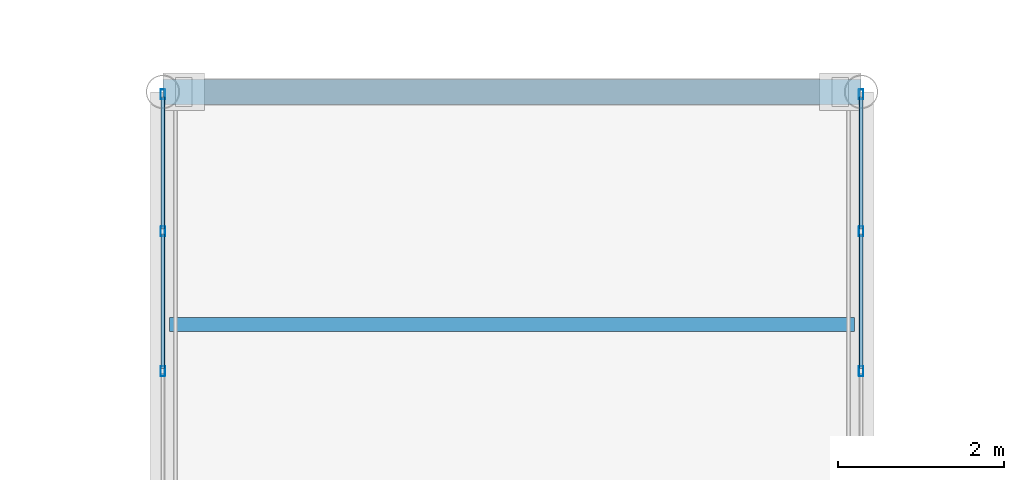
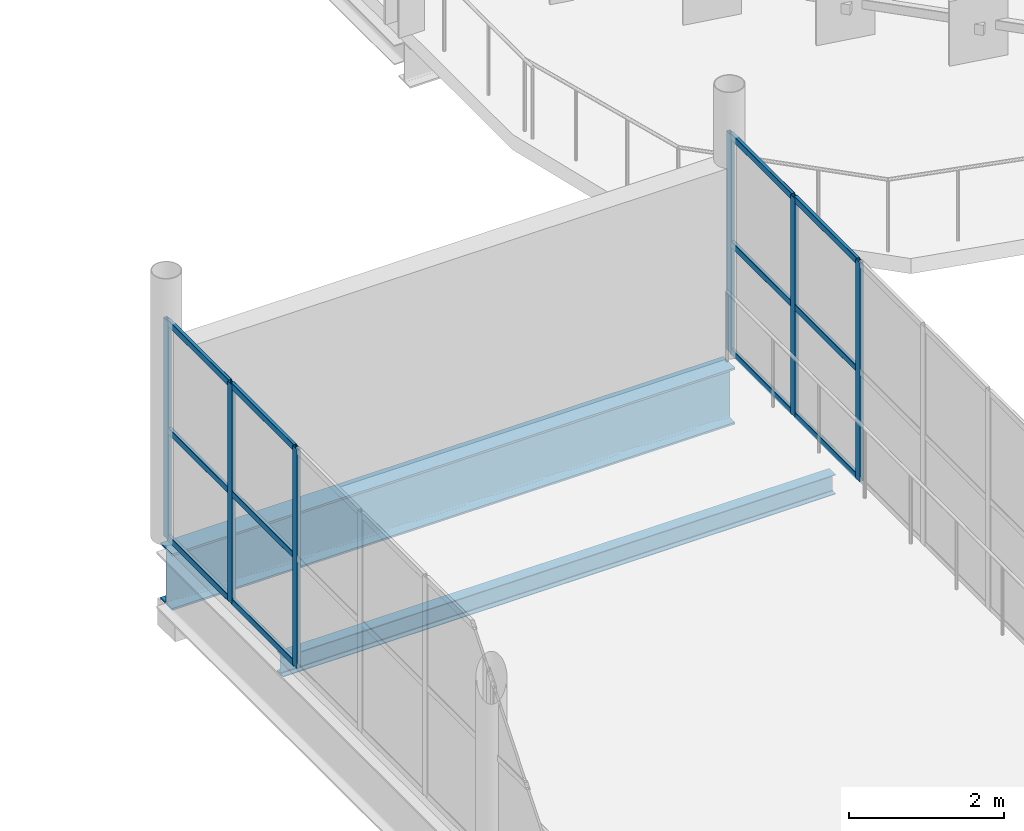
# One storey, part 87 of 163: 18 members, 2 beams, 2 elements without a shape of their own.
"""IFC4 building model written with IfcOpenShell, lengths in metres."""

from ifc_helpers import new_model, si_unit, direction, frame, origin, origin_2d, place, context, subcontext, project, spatial, hollow_rectangle, i_section, extrude, material, layer, layer_set, material_profile, profile_set, type_object, element, aggregate, save


model = new_model("IFC4")

# Units and contexts
model_context = context("Model", 3, precision=1e-05, world=origin(), true_north=direction((0.0, 1.0)))
body_context = subcontext(model_context, "Body", "Model", "MODEL_VIEW")
ifc_project = project(units=[si_unit("LENGTHUNIT", "METRE"), si_unit("AREAUNIT", "SQUARE_METRE"), si_unit("VOLUMEUNIT", "CUBIC_METRE"), si_unit("PLANEANGLEUNIT", "RADIAN"), si_unit("MASSUNIT", "GRAM", prefix="KILO")], contexts=[model_context])

# Site, building, storey
site_placement = place(None, origin())
site = spatial("IfcSite", under=ifc_project, at=site_placement, CompositionType="ELEMENT")
building_placement = place(site_placement, origin())
building = spatial("IfcBuilding", under=site, at=building_placement, Name="Qalvenar Corner Mobility Hub", CompositionType="ELEMENT")
storey_placement = place(building_placement, frame((0.0, 0.0, 4.800048828125)))
storey = spatial("IfcBuildingStorey", under=building, at=storey_placement, Name="L01", CompositionType="ELEMENT", Elevation=4.800048828125)

# Beams
ifc_material_1 = material(Name="Steel S355", Category="steel")
ifc_material_profile_1 = material_profile(ifc_material_1, i_section(OverallWidth=0.300048828125, OverallDepth=0.889892578125, WebThickness=0.01611328125, FlangeThickness=0.030029296875, FilletRadius=0.027099609375, at=origin_2d()), Name="HEA900")
ifc_profile_set_1 = profile_set([ifc_material_profile_1], Name="Steel S355")
beam_type_1 = type_object("IfcBeamType", Name="BM-BRG900", PredefinedType="BEAM", material=ifc_profile_set_1)
beam_1_placement = place(storey_placement, frame((50.39990234375, 67.199951171875, -0.635009765625), z_axis=(1.0, 0.0, 0.0), x_axis=(0.0, 1.0, 0.0)))
element("IfcBeam", 1, at=beam_1_placement, inside=storey, type_object=beam_type_1, Name="Court Link Bridge Girder BRG-1525", PredefinedType="BEAM", context=body_context, shape_type="SweptSolid", body=[
    extrude(i_section(OverallWidth=0.300048828125, OverallDepth=0.889892578125, WebThickness=0.01611328125, FlangeThickness=0.030029296875, FilletRadius=0.027099609375, at=origin_2d()), origin(), (0.0, 0.0, 1.0), 8.400146484375),
])
ifc_material_profile_2 = material_profile(ifc_material_1, i_section(OverallWidth=0.1650390625, OverallDepth=0.31005859375, WebThickness=0.005859375, FlangeThickness=0.009765625, FilletRadius=0.011962890625, at=origin_2d()), Name="W310x38.7")
ifc_profile_set_2 = profile_set([ifc_material_profile_2], Name="Steel S355")
beam_type_2 = type_object("IfcBeamType", Name="BM-JST310", PredefinedType="JOIST", material=ifc_profile_set_2)
beam_2_placement = place(storey_placement, frame((50.47802734375, 64.39990234375, -0.344970703125), z_axis=(1.0, 0.0, 0.0), x_axis=(0.0, 1.0, 0.0)))
element("IfcBeam", 2, at=beam_2_placement, inside=storey, type_object=beam_type_2, Name="Composite Floor Joist J-1540", PredefinedType="JOIST", context=body_context, shape_type="SweptSolid", body=[
    extrude(i_section(OverallWidth=0.1650390625, OverallDepth=0.31005859375, WebThickness=0.005859375, FlangeThickness=0.009765625, FilletRadius=0.011962890625, at=origin_2d()), origin(), (0.0, 0.0, 1.0), 8.243896484375),
])

# Curtain wall, members
ifc_material_2 = material(Name="Anodised Aluminium and Low-E Glazing", Category="aluminium")
ifc_layer = layer(ifc_material_2, 0.1201171875)
ifc_layer_set = layer_set([ifc_layer], Name="Anodised Aluminium and Low-E Glazing")
curtain_wall_type = type_object("IfcCurtainWallType", Name="CW-BRG-84X28", PredefinedType="NOTDEFINED", material=ifc_layer_set)
curtain_wall_1_placement = place(storey_placement, origin())
curtain_wall_1 = element("IfcCurtainWall", 3, at=curtain_wall_1_placement, inside=storey, type_object=curtain_wall_type, Name="Glazed Curtain Wall CW-BRG-L01-W3", PredefinedType="NOTDEFINED")
ifc_material_3 = material(Name="Anodised Aluminium 6063-T6", Category="aluminium")
ifc_material_profile_3 = material_profile(ifc_material_3, hollow_rectangle(XDim=0.054931640625, YDim=0.1201171875, WallThickness=0.00341796875, InnerFilletRadius=0.00341796875, OuterFilletRadius=0.007080078125, at=origin_2d()), Name="RHS120x55x3.5")
ifc_profile_set_3 = profile_set([ifc_material_profile_3], Name="Anodised Aluminium 6063-T6")
member_type_1 = type_object("IfcMemberType", Name="CW-MUL120", PredefinedType="MULLION", material=ifc_profile_set_3)
member_1_placement = place(storey_placement, frame((50.39990234375, 67.169921875, 0.0), z_axis=(0.0, 0.0, 1.0), x_axis=(1.0, 0.0, 0.0)))
member_1 = element("IfcMember", 4, at=member_1_placement, type_object=member_type_1, Name="CW-11 mullion 1", PredefinedType="MULLION", context=body_context, shape_type="SweptSolid", body=[
    extrude(hollow_rectangle(XDim=0.054931640625, YDim=0.1201171875, WallThickness=0.00341796875, InnerFilletRadius=0.00341796875, OuterFilletRadius=0.007080078125, at=origin_2d()), origin(), (0.0, 0.0, 1.0), 3.449951171875),
])
member_2_placement = place(storey_placement, frame((50.39990234375, 65.52001953125, 0.0), z_axis=(0.0, 0.0, 1.0), x_axis=(1.0, 0.0, 0.0)))
member_2 = element("IfcMember", 5, at=member_2_placement, type_object=member_type_1, Name="CW-11 mullion 2", PredefinedType="MULLION", context=body_context, shape_type="SweptSolid", body=[
    extrude(hollow_rectangle(XDim=0.054931640625, YDim=0.1201171875, WallThickness=0.00341796875, InnerFilletRadius=0.00341796875, OuterFilletRadius=0.007080078125, at=origin_2d()), origin(), (0.0, 0.0, 1.0), 3.449951171875),
])
member_3_placement = place(storey_placement, frame((50.39990234375, 63.840087890625, 0.0), z_axis=(0.0, 0.0, 1.0), x_axis=(1.0, 0.0, 0.0)))
member_3 = element("IfcMember", 6, at=member_3_placement, type_object=member_type_1, Name="CW-11 mullion 3", PredefinedType="MULLION", context=body_context, shape_type="SweptSolid", body=[
    extrude(hollow_rectangle(XDim=0.054931640625, YDim=0.1201171875, WallThickness=0.00341796875, InnerFilletRadius=0.00341796875, OuterFilletRadius=0.007080078125, at=origin_2d()), origin(), (0.0, 0.0, 1.0), 3.449951171875),
])

curtain_wall_2_placement = place(storey_placement, origin())
curtain_wall_2 = element("IfcCurtainWall", 7, at=curtain_wall_2_placement, inside=storey, type_object=curtain_wall_type, Name="Glazed Curtain Wall CW-BRG-L01-E3", PredefinedType="NOTDEFINED")
member_4_placement = place(storey_placement, frame((58.800048828125, 63.840087890625, 0.0), z_axis=(0.0, 0.0, 1.0), x_axis=(-1.0, 0.0, 0.0)))
member_4 = element("IfcMember", 8, at=member_4_placement, type_object=member_type_1, Name="CW-11 mullion 4", PredefinedType="MULLION", context=body_context, shape_type="SweptSolid", body=[
    extrude(hollow_rectangle(XDim=0.054931640625, YDim=0.1201171875, WallThickness=0.00341796875, InnerFilletRadius=0.00341796875, OuterFilletRadius=0.007080078125, at=origin_2d()), origin(), (0.0, 0.0, 1.0), 3.449951171875),
])
member_5_placement = place(storey_placement, frame((58.800048828125, 65.52001953125, 0.0), z_axis=(0.0, 0.0, 1.0), x_axis=(-1.0, 0.0, 0.0)))
member_5 = element("IfcMember", 9, at=member_5_placement, type_object=member_type_1, Name="CW-11 mullion 5", PredefinedType="MULLION", context=body_context, shape_type="SweptSolid", body=[
    extrude(hollow_rectangle(XDim=0.054931640625, YDim=0.1201171875, WallThickness=0.00341796875, InnerFilletRadius=0.00341796875, OuterFilletRadius=0.007080078125, at=origin_2d()), origin(), (0.0, 0.0, 1.0), 3.449951171875),
])
member_6_placement = place(storey_placement, frame((58.800048828125, 67.169921875, 0.0), z_axis=(0.0, 0.0, 1.0), x_axis=(-1.0, 0.0, 0.0)))
member_6 = element("IfcMember", 10, at=member_6_placement, type_object=member_type_1, Name="CW-11 mullion 6", PredefinedType="MULLION", context=body_context, shape_type="SweptSolid", body=[
    extrude(hollow_rectangle(XDim=0.054931640625, YDim=0.1201171875, WallThickness=0.00341796875, InnerFilletRadius=0.00341796875, OuterFilletRadius=0.007080078125, at=origin_2d()), origin(), (0.0, 0.0, 1.0), 3.449951171875),
])

# Member
ifc_material_profile_4 = material_profile(ifc_material_3, hollow_rectangle(XDim=0.050048828125, YDim=0.10009765625, WallThickness=0.0029296875, InnerFilletRadius=0.0029296875, OuterFilletRadius=0.006103515625, at=origin_2d()), Name="RHS100x50x3")
ifc_profile_set_4 = profile_set([ifc_material_profile_4], Name="Anodised Aluminium 6063-T6")
member_type_2 = type_object("IfcMemberType", Name="CW-TRN100", PredefinedType="USERDEFINED", material=ifc_profile_set_4)
member_7_placement = place(storey_placement, frame((50.39990234375, 67.139892578125, 0.02734375), z_axis=(0.0, -1.0, 0.0), x_axis=(1.0, 0.0, 0.0)))
member_7 = element("IfcMember", 11, at=member_7_placement, type_object=member_type_2, Name="CW-11 transom 1.1", ObjectType="TRANSOM", PredefinedType="USERDEFINED", context=body_context, shape_type="SweptSolid", body=[
    extrude(hollow_rectangle(XDim=0.050048828125, YDim=0.10009765625, WallThickness=0.0029296875, InnerFilletRadius=0.0029296875, OuterFilletRadius=0.006103515625, at=origin_2d()), origin(), (0.0, 0.0, 1.0), 1.58984375),
])

member_8_placement = place(storey_placement, frame((50.39990234375, 67.139892578125, 1.724853515625), z_axis=(0.0, -1.0, 0.0), x_axis=(1.0, 0.0, 0.0)))
member_8 = element("IfcMember", 12, at=member_8_placement, type_object=member_type_2, Name="CW-11 transom 1.2", ObjectType="TRANSOM", PredefinedType="USERDEFINED", context=body_context, shape_type="SweptSolid", body=[
    extrude(hollow_rectangle(XDim=0.050048828125, YDim=0.10009765625, WallThickness=0.0029296875, InnerFilletRadius=0.0029296875, OuterFilletRadius=0.006103515625, at=origin_2d()), origin(), (0.0, 0.0, 1.0), 1.58984375),
])

member_9_placement = place(storey_placement, frame((50.39990234375, 67.139892578125, 3.42236328125), z_axis=(0.0, -1.0, 0.0), x_axis=(1.0, 0.0, 0.0)))
member_9 = element("IfcMember", 13, at=member_9_placement, type_object=member_type_2, Name="CW-11 transom 1.3", ObjectType="TRANSOM", PredefinedType="USERDEFINED", context=body_context, shape_type="SweptSolid", body=[
    extrude(hollow_rectangle(XDim=0.050048828125, YDim=0.10009765625, WallThickness=0.0029296875, InnerFilletRadius=0.0029296875, OuterFilletRadius=0.006103515625, at=origin_2d()), origin(), (0.0, 0.0, 1.0), 1.58984375),
])

member_10_placement = place(storey_placement, frame((50.39990234375, 65.489990234375, 0.02734375), z_axis=(0.0, -1.0, 0.0), x_axis=(1.0, 0.0, 0.0)))
member_10 = element("IfcMember", 14, at=member_10_placement, type_object=member_type_2, Name="CW-11 transom 2.1", ObjectType="TRANSOM", PredefinedType="USERDEFINED", context=body_context, shape_type="SweptSolid", body=[
    extrude(hollow_rectangle(XDim=0.050048828125, YDim=0.10009765625, WallThickness=0.0029296875, InnerFilletRadius=0.0029296875, OuterFilletRadius=0.006103515625, at=origin_2d()), origin(), (0.0, 0.0, 1.0), 1.619873046875),
])

member_11_placement = place(storey_placement, frame((50.39990234375, 65.489990234375, 1.724853515625), z_axis=(0.0, -1.0, 0.0), x_axis=(1.0, 0.0, 0.0)))
member_11 = element("IfcMember", 15, at=member_11_placement, type_object=member_type_2, Name="CW-11 transom 2.2", ObjectType="TRANSOM", PredefinedType="USERDEFINED", context=body_context, shape_type="SweptSolid", body=[
    extrude(hollow_rectangle(XDim=0.050048828125, YDim=0.10009765625, WallThickness=0.0029296875, InnerFilletRadius=0.0029296875, OuterFilletRadius=0.006103515625, at=origin_2d()), origin(), (0.0, 0.0, 1.0), 1.619873046875),
])

member_12_placement = place(storey_placement, frame((50.39990234375, 65.489990234375, 3.42236328125), z_axis=(0.0, -1.0, 0.0), x_axis=(1.0, 0.0, 0.0)))
member_12 = element("IfcMember", 16, at=member_12_placement, type_object=member_type_2, Name="CW-11 transom 2.3", ObjectType="TRANSOM", PredefinedType="USERDEFINED", context=body_context, shape_type="SweptSolid", body=[
    extrude(hollow_rectangle(XDim=0.050048828125, YDim=0.10009765625, WallThickness=0.0029296875, InnerFilletRadius=0.0029296875, OuterFilletRadius=0.006103515625, at=origin_2d()), origin(), (0.0, 0.0, 1.0), 1.619873046875),
])

aggregate(curtain_wall_1, [member_1, member_2, member_3, member_7, member_8, member_9, member_10, member_11, member_12])

member_13_placement = place(storey_placement, frame((58.800048828125, 63.8701171875, 0.02734375), z_axis=(0.0, 1.0, 0.0), x_axis=(-1.0, 0.0, 0.0)))
member_13 = element("IfcMember", 17, at=member_13_placement, type_object=member_type_2, Name="CW-11 transom 4.1", ObjectType="TRANSOM", PredefinedType="USERDEFINED", context=body_context, shape_type="SweptSolid", body=[
    extrude(hollow_rectangle(XDim=0.050048828125, YDim=0.10009765625, WallThickness=0.0029296875, InnerFilletRadius=0.0029296875, OuterFilletRadius=0.006103515625, at=origin_2d()), origin(), (0.0, 0.0, 1.0), 1.619873046875),
])

member_14_placement = place(storey_placement, frame((58.800048828125, 63.8701171875, 1.724853515625), z_axis=(0.0, 1.0, 0.0), x_axis=(-1.0, 0.0, 0.0)))
member_14 = element("IfcMember", 18, at=member_14_placement, type_object=member_type_2, Name="CW-11 transom 4.2", ObjectType="TRANSOM", PredefinedType="USERDEFINED", context=body_context, shape_type="SweptSolid", body=[
    extrude(hollow_rectangle(XDim=0.050048828125, YDim=0.10009765625, WallThickness=0.0029296875, InnerFilletRadius=0.0029296875, OuterFilletRadius=0.006103515625, at=origin_2d()), origin(), (0.0, 0.0, 1.0), 1.619873046875),
])

member_15_placement = place(storey_placement, frame((58.800048828125, 63.8701171875, 3.42236328125), z_axis=(0.0, 1.0, 0.0), x_axis=(-1.0, 0.0, 0.0)))
member_15 = element("IfcMember", 19, at=member_15_placement, type_object=member_type_2, Name="CW-11 transom 4.3", ObjectType="TRANSOM", PredefinedType="USERDEFINED", context=body_context, shape_type="SweptSolid", body=[
    extrude(hollow_rectangle(XDim=0.050048828125, YDim=0.10009765625, WallThickness=0.0029296875, InnerFilletRadius=0.0029296875, OuterFilletRadius=0.006103515625, at=origin_2d()), origin(), (0.0, 0.0, 1.0), 1.619873046875),
])

member_16_placement = place(storey_placement, frame((58.800048828125, 65.550048828125, 0.02734375), z_axis=(0.0, 1.0, 0.0), x_axis=(-1.0, 0.0, 0.0)))
member_16 = element("IfcMember", 20, at=member_16_placement, type_object=member_type_2, Name="CW-11 transom 5.1", ObjectType="TRANSOM", PredefinedType="USERDEFINED", context=body_context, shape_type="SweptSolid", body=[
    extrude(hollow_rectangle(XDim=0.050048828125, YDim=0.10009765625, WallThickness=0.0029296875, InnerFilletRadius=0.0029296875, OuterFilletRadius=0.006103515625, at=origin_2d()), origin(), (0.0, 0.0, 1.0), 1.58984375),
])

member_17_placement = place(storey_placement, frame((58.800048828125, 65.550048828125, 1.724853515625), z_axis=(0.0, 1.0, 0.0), x_axis=(-1.0, 0.0, 0.0)))
member_17 = element("IfcMember", 21, at=member_17_placement, type_object=member_type_2, Name="CW-11 transom 5.2", ObjectType="TRANSOM", PredefinedType="USERDEFINED", context=body_context, shape_type="SweptSolid", body=[
    extrude(hollow_rectangle(XDim=0.050048828125, YDim=0.10009765625, WallThickness=0.0029296875, InnerFilletRadius=0.0029296875, OuterFilletRadius=0.006103515625, at=origin_2d()), origin(), (0.0, 0.0, 1.0), 1.58984375),
])

member_18_placement = place(storey_placement, frame((58.800048828125, 65.550048828125, 3.42236328125), z_axis=(0.0, 1.0, 0.0), x_axis=(-1.0, 0.0, 0.0)))
member_18 = element("IfcMember", 22, at=member_18_placement, type_object=member_type_2, Name="CW-11 transom 5.3", ObjectType="TRANSOM", PredefinedType="USERDEFINED", context=body_context, shape_type="SweptSolid", body=[
    extrude(hollow_rectangle(XDim=0.050048828125, YDim=0.10009765625, WallThickness=0.0029296875, InnerFilletRadius=0.0029296875, OuterFilletRadius=0.006103515625, at=origin_2d()), origin(), (0.0, 0.0, 1.0), 1.58984375),
])

aggregate(curtain_wall_2, [member_4, member_5, member_6, member_13, member_14, member_15, member_16, member_17, member_18])

save(model, "model.ifc")
